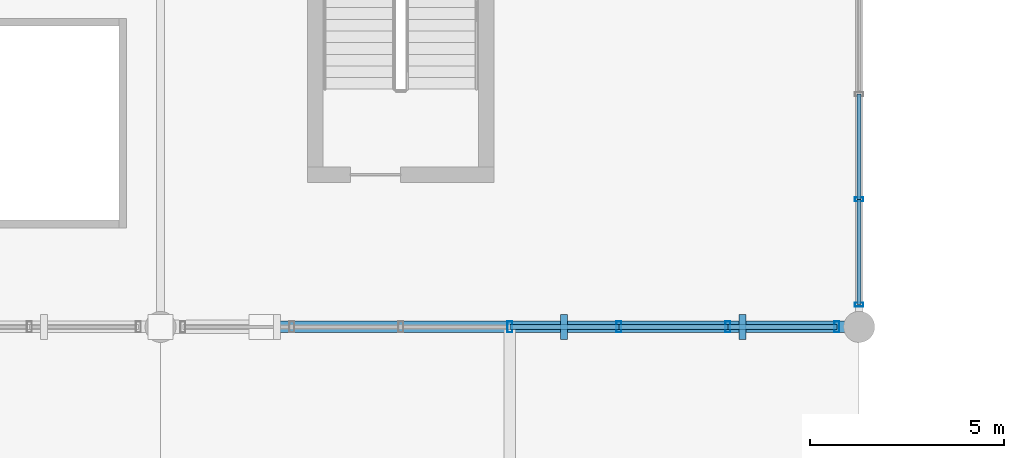
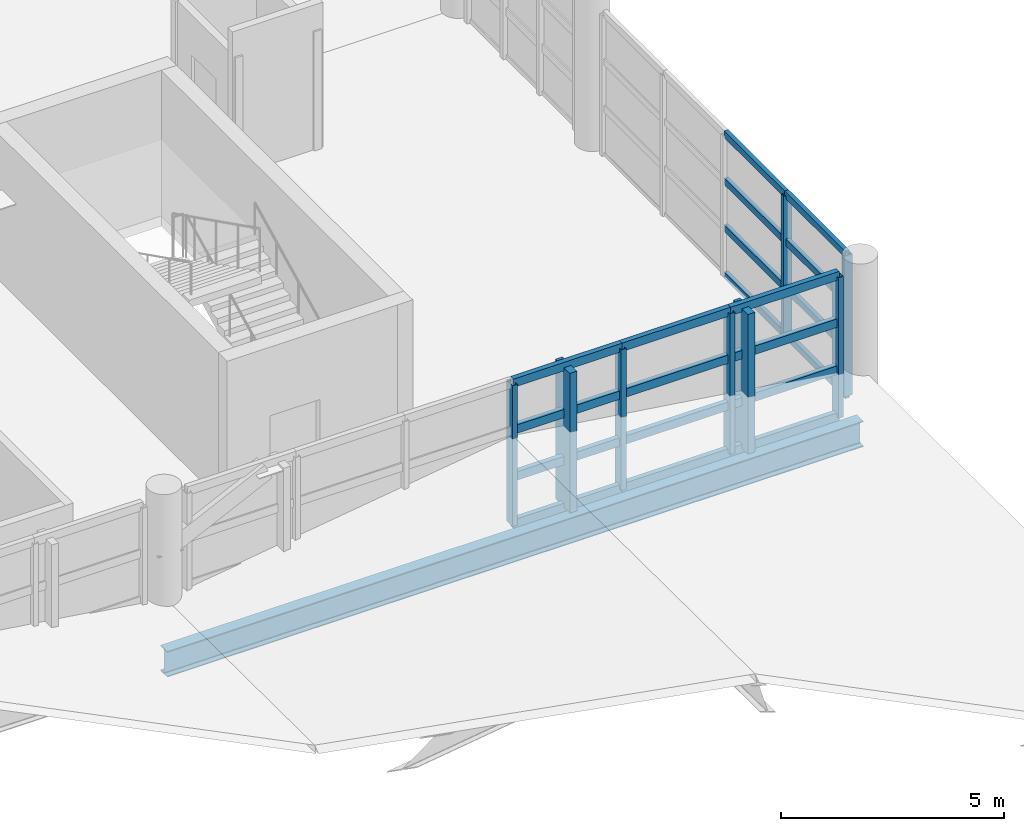
# One storey, part 17 of 136: 28 members, 1 beam, 2 elements without a shape of their own.
"""IFC4 building model written with IfcOpenShell, lengths in metres."""

from ifc_helpers import new_model, si_unit, direction, frame, origin, origin_2d, place, context, subcontext, project, spatial, rectangle, hollow_rectangle, i_section, extrude, material, material_profile, profile_set, type_object, element, aggregate, save


model = new_model("IFC4")

# Units and contexts
model_context = context("Model", 3, precision=1e-05, world=origin(), true_north=direction((0.0, 1.0)))
body_context = subcontext(model_context, "Body", "Model", "MODEL_VIEW")
ifc_project = project(units=[si_unit("LENGTHUNIT", "METRE"), si_unit("AREAUNIT", "SQUARE_METRE"), si_unit("VOLUMEUNIT", "CUBIC_METRE"), si_unit("PLANEANGLEUNIT", "RADIAN"), si_unit("MASSUNIT", "GRAM", prefix="KILO")], contexts=[model_context])

# Site, building, storey
site_placement = place(None, origin())
site = spatial("IfcSite", under=ifc_project, at=site_placement, CompositionType="ELEMENT")
building_placement = place(site_placement, origin())
building = spatial("IfcBuilding", under=site, at=building_placement, Name="Chuanluo Vaults Station", CompositionType="ELEMENT")
storey_placement = place(building_placement, frame((0.0, 0.0, 6.60009765625)))
storey = spatial("IfcBuildingStorey", under=building, at=storey_placement, Name="L01", CompositionType="ELEMENT", Elevation=6.60009765625)

# Beam
ifc_material_1 = material(Name="Steel Q355C", Category="steel")
ifc_material_profile_1 = material_profile(ifc_material_1, i_section(OverallWidth=0.300048828125, OverallDepth=0.699951171875, WebThickness=0.012939453125, FlangeThickness=0.02392578125, FilletRadius=0.02197265625, at=origin_2d()))
ifc_profile_set_1 = profile_set([ifc_material_profile_1], Name="Steel Q355C")
beam_type = type_object("IfcBeamType", Name="BM-GRD-700", PredefinedType="USERDEFINED", material=ifc_profile_set_1)
beam_placement = place(storey_placement, frame((72.0, 18.0, -0.630126953125), z_axis=(1.0, 0.0, 0.0), x_axis=(0.0, 1.0, 0.0)))
element("IfcBeam", 1, at=beam_placement, inside=storey, type_object=beam_type, Name="Floor girder BM:GX:L01:0295", ObjectType="GIRDER", PredefinedType="USERDEFINED", context=body_context, shape_type="SweptSolid", body=[
    extrude(i_section(OverallWidth=0.300048828125, OverallDepth=0.699951171875, WebThickness=0.012939453125, FlangeThickness=0.02392578125, FilletRadius=0.02197265625, at=origin_2d()), origin(), (0.0, 0.0, 1.0), 18.0),
])

# Curtain wall, members
ifc_material_2 = material(Name="Anodised aluminium 6063-T6", Category="aluminium")
curtain_wall_type_1 = type_object("IfcCurtainWallType", Name="CW-SYS-28", PredefinedType="NOTDEFINED", material=ifc_material_2)
curtain_wall_1_placement = place(storey_placement, origin())
curtain_wall_1 = element("IfcCurtainWall", 2, at=curtain_wall_1_placement, inside=storey, type_object=curtain_wall_type_1, Name="Concourse east curtain wall 18", PredefinedType="NOTDEFINED")
ifc_material_3 = material(Name="Anodised aluminium 6063-T6", Category="aluminium")
ifc_material_profile_2 = material_profile(ifc_material_3, hollow_rectangle(XDim=0.10498046875, YDim=0.219970703125, WallThickness=0.006103515625, at=origin_2d()))
ifc_profile_set_2 = profile_set([ifc_material_profile_2], Name="Anodised aluminium 6063-T6")
member_type_1 = type_object("IfcMemberType", Name="CWM-140", PredefinedType="MULLION", material=ifc_profile_set_2)
member_1_placement = place(storey_placement, frame((90.0, 21.28759765625, 0.0), z_axis=(0.0, 0.0, 1.0), x_axis=(0.0, -1.0, 0.0)))
member_1 = element("IfcMember", 3, at=member_1_placement, type_object=member_type_1, Name="Concourse east curtain wall 18 mullion 4", PredefinedType="MULLION", context=body_context, shape_type="SweptSolid", body=[
    extrude(hollow_rectangle(XDim=0.10498046875, YDim=0.219970703125, WallThickness=0.006103515625, at=origin_2d()), origin(), (0.0, 0.0, 1.0), 3.849853515625),
])
member_2_placement = place(storey_placement, frame((90.0, 18.574951171875, 0.0), z_axis=(0.0, 0.0, 1.0), x_axis=(0.0, -1.0, 0.0)))
member_2 = element("IfcMember", 4, at=member_2_placement, type_object=member_type_1, Name="Concourse east curtain wall 18 mullion 5", PredefinedType="MULLION", context=body_context, shape_type="SweptSolid", body=[
    extrude(hollow_rectangle(XDim=0.10498046875, YDim=0.219970703125, WallThickness=0.006103515625, at=origin_2d()), origin(), (0.0, 0.0, 1.0), 3.849853515625),
])

ifc_material_4 = material(Name="Anodised aluminium 6063-T6", Category="aluminium")
curtain_wall_type_2 = type_object("IfcCurtainWallType", Name="CW-SYS-18", PredefinedType="NOTDEFINED", material=ifc_material_4)
curtain_wall_2_placement = place(storey_placement, origin())
curtain_wall_2 = element("IfcCurtainWall", 5, at=curtain_wall_2_placement, inside=storey, type_object=curtain_wall_type_2, Name="Concourse V5 south facade CW", PredefinedType="NOTDEFINED")
ifc_material_5 = material(Name="Anodised aluminium 6063-T6", Category="aluminium")
ifc_material_profile_3 = material_profile(ifc_material_5, hollow_rectangle(XDim=0.1298828125, YDim=0.280029296875, WallThickness=0.007080078125, at=origin_2d()))
ifc_profile_set_3 = profile_set([ifc_material_profile_3], Name="Anodised aluminium 6063-T6")
member_type_2 = type_object("IfcMemberType", Name="CWM-180", PredefinedType="MULLION", material=ifc_profile_set_3)
member_3_placement = place(storey_placement, frame((89.425048828125, 18.0, 0.0), z_axis=(0.0, 0.0, 1.0), x_axis=(-1.0, 0.0, 0.0)))
member_3 = element("IfcMember", 6, at=member_3_placement, type_object=member_type_2, Name="Concourse V5 south facade CW mullion 1", PredefinedType="MULLION", context=body_context, shape_type="SweptSolid", body=[
    extrude(hollow_rectangle(XDim=0.1298828125, YDim=0.280029296875, WallThickness=0.007080078125, at=origin_2d()), origin(), (0.0, 0.0, 1.0), 3.849853515625),
])
member_4_placement = place(storey_placement, frame((86.61669921875, 18.0, 0.0), z_axis=(0.0, 0.0, 1.0), x_axis=(-1.0, 0.0, 0.0)))
member_4 = element("IfcMember", 7, at=member_4_placement, type_object=member_type_2, Name="Concourse V5 south facade CW mullion 2", PredefinedType="MULLION", context=body_context, shape_type="SweptSolid", body=[
    extrude(hollow_rectangle(XDim=0.1298828125, YDim=0.280029296875, WallThickness=0.007080078125, at=origin_2d()), origin(), (0.0, 0.0, 1.0), 3.849853515625),
])
member_5_placement = place(storey_placement, frame((83.808349609375, 18.0, 0.0), z_axis=(0.0, 0.0, 1.0), x_axis=(-1.0, 0.0, 0.0)))
member_5 = element("IfcMember", 8, at=member_5_placement, type_object=member_type_2, Name="Concourse V5 south facade CW mullion 3", PredefinedType="MULLION", context=body_context, shape_type="SweptSolid", body=[
    extrude(hollow_rectangle(XDim=0.1298828125, YDim=0.280029296875, WallThickness=0.007080078125, at=origin_2d()), origin(), (0.0, 0.0, 1.0), 3.849853515625),
])
member_6_placement = place(storey_placement, frame((81.0, 18.0, 0.0), z_axis=(0.0, 0.0, 1.0), x_axis=(-1.0, 0.0, 0.0)))
member_6 = element("IfcMember", 9, at=member_6_placement, type_object=member_type_2, Name="Concourse V5 south facade CW mullion 4", PredefinedType="MULLION", context=body_context, shape_type="SweptSolid", body=[
    extrude(hollow_rectangle(XDim=0.1298828125, YDim=0.280029296875, WallThickness=0.007080078125, at=origin_2d()), origin(), (0.0, 0.0, 1.0), 3.849853515625),
])

# Member
ifc_material_6 = material(Name="Anodised aluminium 6063-T6", Category="aluminium")
ifc_material_profile_4 = material_profile(ifc_material_6, hollow_rectangle(XDim=0.10498046875, YDim=0.18505859375, WallThickness=0.0048828125, at=origin_2d()))
ifc_profile_set_4 = profile_set([ifc_material_profile_4], Name="Anodised aluminium 6063-T6")
member_type_3 = type_object("IfcMemberType", Name="CWT-110", PredefinedType="USERDEFINED", material=ifc_profile_set_4)
member_7_placement = place(storey_placement, frame((90.0, 24.0, 0.0), z_axis=(0.0, -1.0, 0.0), x_axis=(1.0, 0.0, 0.0)))
member_7 = element("IfcMember", 10, at=member_7_placement, type_object=member_type_3, Name="Concourse east curtain wall 18 transom 3.1", ObjectType="TRANSOM", PredefinedType="USERDEFINED", context=body_context, shape_type="SweptSolid", body=[
    extrude(hollow_rectangle(XDim=0.10498046875, YDim=0.18505859375, WallThickness=0.0048828125, at=origin_2d()), origin(), (0.0, 0.0, 1.0), 2.71240234375),
])

member_8_placement = place(storey_placement, frame((90.0, 24.0, 1.283203125), z_axis=(0.0, -1.0, 0.0), x_axis=(1.0, 0.0, 0.0)))
member_8 = element("IfcMember", 11, at=member_8_placement, type_object=member_type_3, Name="Concourse east curtain wall 18 transom 3.2", ObjectType="TRANSOM", PredefinedType="USERDEFINED", context=body_context, shape_type="SweptSolid", body=[
    extrude(hollow_rectangle(XDim=0.10498046875, YDim=0.18505859375, WallThickness=0.0048828125, at=origin_2d()), origin(), (0.0, 0.0, 1.0), 2.71240234375),
])

member_9_placement = place(storey_placement, frame((90.0, 24.0, 2.566650390625), z_axis=(0.0, -1.0, 0.0), x_axis=(1.0, 0.0, 0.0)))
member_9 = element("IfcMember", 12, at=member_9_placement, type_object=member_type_3, Name="Concourse east curtain wall 18 transom 3.3", ObjectType="TRANSOM", PredefinedType="USERDEFINED", context=body_context, shape_type="SweptSolid", body=[
    extrude(hollow_rectangle(XDim=0.10498046875, YDim=0.18505859375, WallThickness=0.0048828125, at=origin_2d()), origin(), (0.0, 0.0, 1.0), 2.71240234375),
])

member_10_placement = place(storey_placement, frame((90.0, 24.0, 3.849853515625), z_axis=(0.0, -1.0, 0.0), x_axis=(1.0, 0.0, 0.0)))
member_10 = element("IfcMember", 13, at=member_10_placement, type_object=member_type_3, Name="Concourse east curtain wall 18 transom 3.4", ObjectType="TRANSOM", PredefinedType="USERDEFINED", context=body_context, shape_type="SweptSolid", body=[
    extrude(hollow_rectangle(XDim=0.10498046875, YDim=0.18505859375, WallThickness=0.0048828125, at=origin_2d()), origin(), (0.0, 0.0, 1.0), 2.71240234375),
])

member_11_placement = place(storey_placement, frame((90.0, 21.28759765625, 0.0), z_axis=(0.0, -1.0, 0.0), x_axis=(1.0, 0.0, 0.0)))
member_11 = element("IfcMember", 14, at=member_11_placement, type_object=member_type_3, Name="Concourse east curtain wall 18 transom 4.1", ObjectType="TRANSOM", PredefinedType="USERDEFINED", context=body_context, shape_type="SweptSolid", body=[
    extrude(hollow_rectangle(XDim=0.10498046875, YDim=0.18505859375, WallThickness=0.0048828125, at=origin_2d()), origin(), (0.0, 0.0, 1.0), 2.712646484375),
])

member_12_placement = place(storey_placement, frame((90.0, 21.28759765625, 1.283203125), z_axis=(0.0, -1.0, 0.0), x_axis=(1.0, 0.0, 0.0)))
member_12 = element("IfcMember", 15, at=member_12_placement, type_object=member_type_3, Name="Concourse east curtain wall 18 transom 4.2", ObjectType="TRANSOM", PredefinedType="USERDEFINED", context=body_context, shape_type="SweptSolid", body=[
    extrude(hollow_rectangle(XDim=0.10498046875, YDim=0.18505859375, WallThickness=0.0048828125, at=origin_2d()), origin(), (0.0, 0.0, 1.0), 2.712646484375),
])

member_13_placement = place(storey_placement, frame((90.0, 21.28759765625, 2.566650390625), z_axis=(0.0, -1.0, 0.0), x_axis=(1.0, 0.0, 0.0)))
member_13 = element("IfcMember", 16, at=member_13_placement, type_object=member_type_3, Name="Concourse east curtain wall 18 transom 4.3", ObjectType="TRANSOM", PredefinedType="USERDEFINED", context=body_context, shape_type="SweptSolid", body=[
    extrude(hollow_rectangle(XDim=0.10498046875, YDim=0.18505859375, WallThickness=0.0048828125, at=origin_2d()), origin(), (0.0, 0.0, 1.0), 2.712646484375),
])

member_14_placement = place(storey_placement, frame((90.0, 21.28759765625, 3.849853515625), z_axis=(0.0, -1.0, 0.0), x_axis=(1.0, 0.0, 0.0)))
member_14 = element("IfcMember", 17, at=member_14_placement, type_object=member_type_3, Name="Concourse east curtain wall 18 transom 4.4", ObjectType="TRANSOM", PredefinedType="USERDEFINED", context=body_context, shape_type="SweptSolid", body=[
    extrude(hollow_rectangle(XDim=0.10498046875, YDim=0.18505859375, WallThickness=0.0048828125, at=origin_2d()), origin(), (0.0, 0.0, 1.0), 2.712646484375),
])

aggregate(curtain_wall_1, [member_1, member_2, member_7, member_8, member_9, member_10, member_11, member_12, member_13, member_14])

ifc_material_7 = material(Name="Anodised aluminium 6063-T6", Category="aluminium")
ifc_material_profile_5 = material_profile(ifc_material_7, hollow_rectangle(XDim=0.1298828125, YDim=0.22998046875, WallThickness=0.006103515625, at=origin_2d()))
ifc_profile_set_5 = profile_set([ifc_material_profile_5], Name="Anodised aluminium 6063-T6")
member_type_4 = type_object("IfcMemberType", Name="CWT-150", PredefinedType="USERDEFINED", material=ifc_profile_set_5)
member_15_placement = place(storey_placement, frame((89.425048828125, 18.0, 0.0), z_axis=(-1.0, 0.0, 0.0), x_axis=(0.0, -1.0, 0.0)))
member_15 = element("IfcMember", 18, at=member_15_placement, type_object=member_type_4, Name="Concourse V5 south facade CW transom 1.1", ObjectType="TRANSOM", PredefinedType="USERDEFINED", context=body_context, shape_type="SweptSolid", body=[
    extrude(hollow_rectangle(XDim=0.1298828125, YDim=0.22998046875, WallThickness=0.006103515625, at=origin_2d()), origin(), (0.0, 0.0, 1.0), 2.808349609375),
])

member_16_placement = place(storey_placement, frame((89.425048828125, 18.0, 1.283203125), z_axis=(-1.0, 0.0, 0.0), x_axis=(0.0, -1.0, 0.0)))
member_16 = element("IfcMember", 19, at=member_16_placement, type_object=member_type_4, Name="Concourse V5 south facade CW transom 1.2", ObjectType="TRANSOM", PredefinedType="USERDEFINED", context=body_context, shape_type="SweptSolid", body=[
    extrude(hollow_rectangle(XDim=0.1298828125, YDim=0.22998046875, WallThickness=0.006103515625, at=origin_2d()), origin(), (0.0, 0.0, 1.0), 2.808349609375),
])

member_17_placement = place(storey_placement, frame((89.425048828125, 18.0, 2.566650390625), z_axis=(-1.0, 0.0, 0.0), x_axis=(0.0, -1.0, 0.0)))
member_17 = element("IfcMember", 20, at=member_17_placement, type_object=member_type_4, Name="Concourse V5 south facade CW transom 1.3", ObjectType="TRANSOM", PredefinedType="USERDEFINED", context=body_context, shape_type="SweptSolid", body=[
    extrude(hollow_rectangle(XDim=0.1298828125, YDim=0.22998046875, WallThickness=0.006103515625, at=origin_2d()), origin(), (0.0, 0.0, 1.0), 2.808349609375),
])

member_18_placement = place(storey_placement, frame((89.425048828125, 18.0, 3.849853515625), z_axis=(-1.0, 0.0, 0.0), x_axis=(0.0, -1.0, 0.0)))
member_18 = element("IfcMember", 21, at=member_18_placement, type_object=member_type_4, Name="Concourse V5 south facade CW transom 1.4", ObjectType="TRANSOM", PredefinedType="USERDEFINED", context=body_context, shape_type="SweptSolid", body=[
    extrude(hollow_rectangle(XDim=0.1298828125, YDim=0.22998046875, WallThickness=0.006103515625, at=origin_2d()), origin(), (0.0, 0.0, 1.0), 2.808349609375),
])

member_19_placement = place(storey_placement, frame((86.61669921875, 18.0, 0.0), z_axis=(-1.0, 0.0, 0.0), x_axis=(0.0, -1.0, 0.0)))
member_19 = element("IfcMember", 22, at=member_19_placement, type_object=member_type_4, Name="Concourse V5 south facade CW transom 2.1", ObjectType="TRANSOM", PredefinedType="USERDEFINED", context=body_context, shape_type="SweptSolid", body=[
    extrude(hollow_rectangle(XDim=0.1298828125, YDim=0.22998046875, WallThickness=0.006103515625, at=origin_2d()), origin(), (0.0, 0.0, 1.0), 2.808349609375),
])

member_20_placement = place(storey_placement, frame((86.61669921875, 18.0, 1.283203125), z_axis=(-1.0, 0.0, 0.0), x_axis=(0.0, -1.0, 0.0)))
member_20 = element("IfcMember", 23, at=member_20_placement, type_object=member_type_4, Name="Concourse V5 south facade CW transom 2.2", ObjectType="TRANSOM", PredefinedType="USERDEFINED", context=body_context, shape_type="SweptSolid", body=[
    extrude(hollow_rectangle(XDim=0.1298828125, YDim=0.22998046875, WallThickness=0.006103515625, at=origin_2d()), origin(), (0.0, 0.0, 1.0), 2.808349609375),
])

member_21_placement = place(storey_placement, frame((86.61669921875, 18.0, 2.566650390625), z_axis=(-1.0, 0.0, 0.0), x_axis=(0.0, -1.0, 0.0)))
member_21 = element("IfcMember", 24, at=member_21_placement, type_object=member_type_4, Name="Concourse V5 south facade CW transom 2.3", ObjectType="TRANSOM", PredefinedType="USERDEFINED", context=body_context, shape_type="SweptSolid", body=[
    extrude(hollow_rectangle(XDim=0.1298828125, YDim=0.22998046875, WallThickness=0.006103515625, at=origin_2d()), origin(), (0.0, 0.0, 1.0), 2.808349609375),
])

member_22_placement = place(storey_placement, frame((86.61669921875, 18.0, 3.849853515625), z_axis=(-1.0, 0.0, 0.0), x_axis=(0.0, -1.0, 0.0)))
member_22 = element("IfcMember", 25, at=member_22_placement, type_object=member_type_4, Name="Concourse V5 south facade CW transom 2.4", ObjectType="TRANSOM", PredefinedType="USERDEFINED", context=body_context, shape_type="SweptSolid", body=[
    extrude(hollow_rectangle(XDim=0.1298828125, YDim=0.22998046875, WallThickness=0.006103515625, at=origin_2d()), origin(), (0.0, 0.0, 1.0), 2.808349609375),
])

member_23_placement = place(storey_placement, frame((83.808349609375, 18.0, 0.0), z_axis=(-1.0, 0.0, 0.0), x_axis=(0.0, -1.0, 0.0)))
member_23 = element("IfcMember", 26, at=member_23_placement, type_object=member_type_4, Name="Concourse V5 south facade CW transom 3.1", ObjectType="TRANSOM", PredefinedType="USERDEFINED", context=body_context, shape_type="SweptSolid", body=[
    extrude(hollow_rectangle(XDim=0.1298828125, YDim=0.22998046875, WallThickness=0.006103515625, at=origin_2d()), origin(), (0.0, 0.0, 1.0), 2.808349609375),
])

member_24_placement = place(storey_placement, frame((83.808349609375, 18.0, 1.283203125), z_axis=(-1.0, 0.0, 0.0), x_axis=(0.0, -1.0, 0.0)))
member_24 = element("IfcMember", 27, at=member_24_placement, type_object=member_type_4, Name="Concourse V5 south facade CW transom 3.2", ObjectType="TRANSOM", PredefinedType="USERDEFINED", context=body_context, shape_type="SweptSolid", body=[
    extrude(hollow_rectangle(XDim=0.1298828125, YDim=0.22998046875, WallThickness=0.006103515625, at=origin_2d()), origin(), (0.0, 0.0, 1.0), 2.808349609375),
])

member_25_placement = place(storey_placement, frame((83.808349609375, 18.0, 2.566650390625), z_axis=(-1.0, 0.0, 0.0), x_axis=(0.0, -1.0, 0.0)))
member_25 = element("IfcMember", 28, at=member_25_placement, type_object=member_type_4, Name="Concourse V5 south facade CW transom 3.3", ObjectType="TRANSOM", PredefinedType="USERDEFINED", context=body_context, shape_type="SweptSolid", body=[
    extrude(hollow_rectangle(XDim=0.1298828125, YDim=0.22998046875, WallThickness=0.006103515625, at=origin_2d()), origin(), (0.0, 0.0, 1.0), 2.808349609375),
])

member_26_placement = place(storey_placement, frame((83.808349609375, 18.0, 3.849853515625), z_axis=(-1.0, 0.0, 0.0), x_axis=(0.0, -1.0, 0.0)))
member_26 = element("IfcMember", 29, at=member_26_placement, type_object=member_type_4, Name="Concourse V5 south facade CW transom 3.4", ObjectType="TRANSOM", PredefinedType="USERDEFINED", context=body_context, shape_type="SweptSolid", body=[
    extrude(hollow_rectangle(XDim=0.1298828125, YDim=0.22998046875, WallThickness=0.006103515625, at=origin_2d()), origin(), (0.0, 0.0, 1.0), 2.808349609375),
])

aggregate(curtain_wall_2, [member_3, member_4, member_5, member_6, member_15, member_16, member_17, member_18, member_19, member_20, member_21, member_22, member_23, member_24, member_25, member_26])

# Members
ifc_material_8 = material(Name="Concrete C50", Category="concrete")
ifc_material_profile_6 = material_profile(ifc_material_8, rectangle(XDim=0.179931640625, YDim=0.64990234375, at=origin_2d()))
ifc_profile_set_6 = profile_set([ifc_material_profile_6], Name="Concrete C50")
member_type_5 = type_object("IfcMemberType", Name="MEM-FIN-CONC", PredefinedType="USERDEFINED", material=ifc_profile_set_6)
for number, where, z_axis, x_axis, name in (
    (30, (82.39990234375, 18.0, 0.0), (0.0, 0.0, 1.0), (1.0, 0.0, 0.0), "Concourse vertical sun-fin 11"),
    (31, (87.0, 18.0, 0.0), (0.0, 0.0, 1.0), (1.0, 0.0, 0.0), "Concourse vertical sun-fin 12"),
):
    element("IfcMember", number, at=place(storey_placement, frame(where, z_axis=z_axis, x_axis=x_axis)), inside=storey, type_object=member_type_5, Name=name, ObjectType="MULLION_FIN", PredefinedType="USERDEFINED", context=body_context, shape_type="SweptSolid", body=[
        extrude(rectangle(XDim=0.179931640625, YDim=0.64990234375, at=origin_2d()), origin(), (0.0, 0.0, 1.0), 3.81982421875),
    ])

save(model, "model.ifc")
